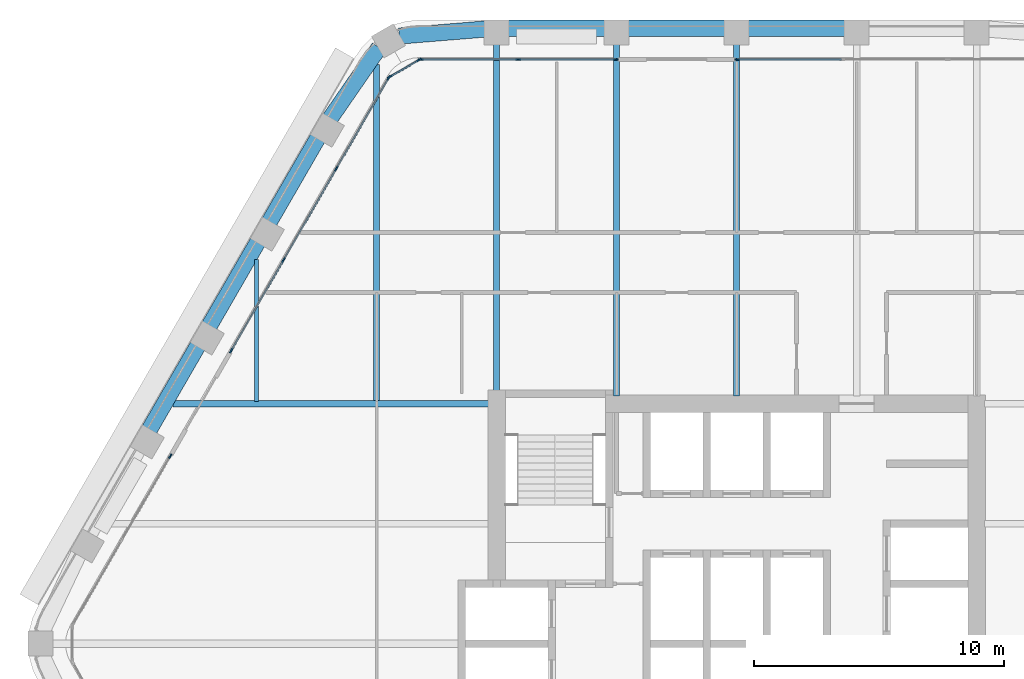
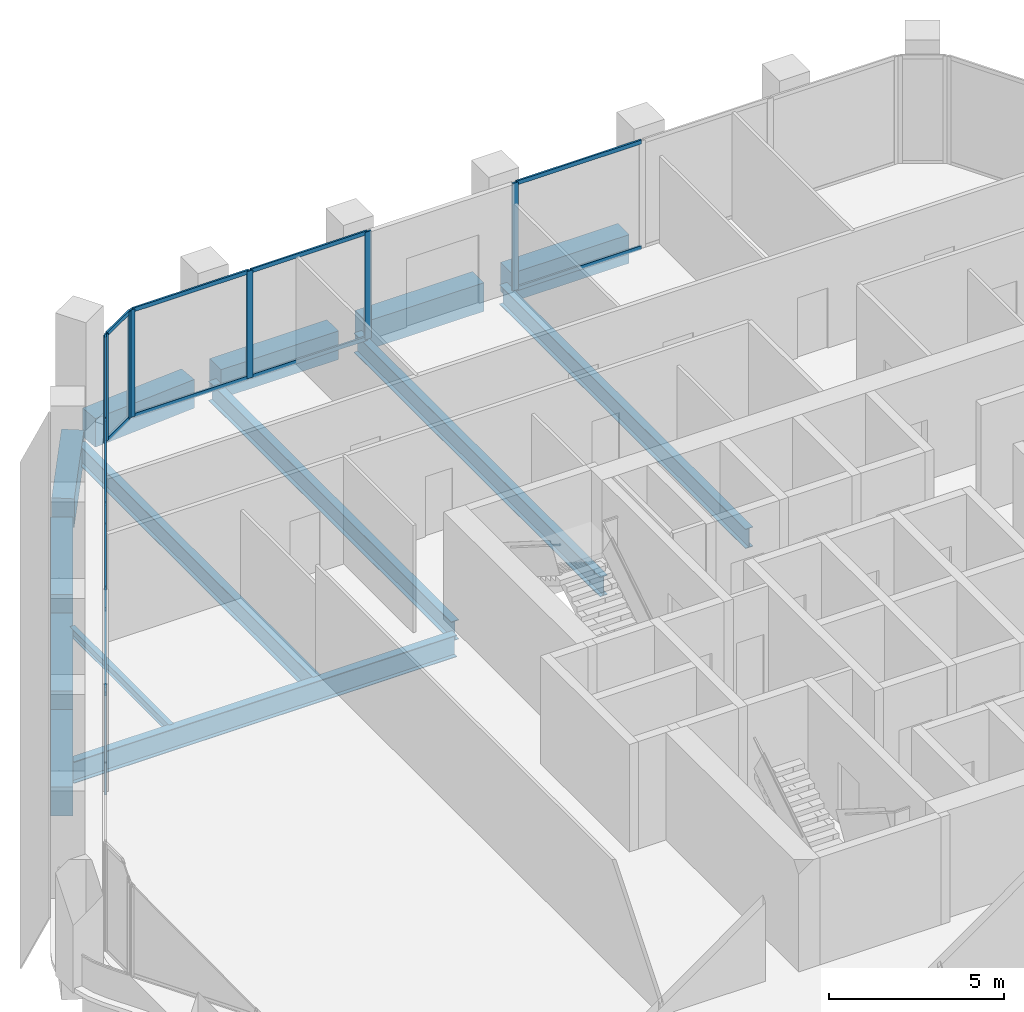
# One storey, part 5 of 15: 25 members, 14 beams, 5 elements without a shape of their own.
"""IFC4 building model written with IfcOpenShell, lengths in metres."""

from ifc_helpers import new_model, si_unit, direction, frame, origin, origin_2d, place, context, subcontext, project, spatial, rectangle, i_section, extrude, material, material_profile, profile_set, type_object, element, aggregate, save


model = new_model("IFC4")

# Units and contexts
model_context = context("Model", 3, precision=1e-05, world=origin(), true_north=direction((0.0, 1.0)))
body_context = subcontext(model_context, "Body", "Model", "MODEL_VIEW")
ifc_project = project(units=[si_unit("LENGTHUNIT", "METRE"), si_unit("AREAUNIT", "SQUARE_METRE"), si_unit("VOLUMEUNIT", "CUBIC_METRE"), si_unit("PLANEANGLEUNIT", "RADIAN"), si_unit("MASSUNIT", "GRAM", prefix="KILO")], contexts=[model_context])

# Site, building, storey
site_placement = place(None, origin())
site = spatial("IfcSite", under=ifc_project, at=site_placement, CompositionType="ELEMENT")
building_placement = place(site_placement, origin())
building = spatial("IfcBuilding", under=site, at=building_placement, Name="Kolab Exchange Tower", CompositionType="ELEMENT")
storey_placement = place(building_placement, frame((0.0, 0.0, 154.39990234375)))
storey = spatial("IfcBuildingStorey", under=building, at=storey_placement, Name="L31", CompositionType="ELEMENT", Elevation=154.39990234375)

# Beams
ifc_material_1 = material(Name="Steel S355", Category="steel")
ifc_material_profile_1 = material_profile(ifc_material_1, i_section(OverallWidth=0.1650390625, OverallDepth=0.31005859375, WebThickness=0.005859375, FlangeThickness=0.009765625, at=origin_2d()), Name="W310X39")
ifc_profile_set_1 = profile_set([ifc_material_profile_1], Name="Steel S355")
beam_type_1 = type_object("IfcBeamType", Name="FLOOR BEAM W310X39", PredefinedType="BEAM", material=ifc_profile_set_1)
beam_1_placement = place(storey_placement, frame((-19.199951171875, 9.693603515625, -0.304931640625), z_axis=(0.0, 1.0, 0.0), x_axis=(-1.0, 0.0, 0.0)))
element("IfcBeam", 1, at=beam_1_placement, inside=storey, type_object=beam_type_1, Name="beam/L31/fr/004", PredefinedType="BEAM", context=body_context, shape_type="SweptSolid", body=[
    extrude(i_section(OverallWidth=0.1650390625, OverallDepth=0.31005859375, WebThickness=0.005859375, FlangeThickness=0.009765625, at=origin_2d()), origin(), (0.0, 0.0, 1.0), 5.674072265625),
])
ifc_material_profile_2 = material_profile(ifc_material_1, i_section(OverallWidth=0.25390625, OverallDepth=0.68408203125, WebThickness=0.012451171875, FlangeThickness=0.018798828125, at=origin_2d()), Name="W690X140")
ifc_profile_set_2 = profile_set([ifc_material_profile_2], Name="Steel S355")
beam_type_2 = type_object("IfcBeamType", Name="FLOOR BEAM W690X140", PredefinedType="BEAM", material=ifc_profile_set_2)
beam_2_placement = place(storey_placement, frame((-14.39990234375, 9.693603515625, -0.491943359375), z_axis=(0.0, 1.0, 0.0), x_axis=(-1.0, 0.0, 0.0)))
element("IfcBeam", 2, at=beam_2_placement, inside=storey, type_object=beam_type_2, Name="beam/L31/fr/006", PredefinedType="BEAM", context=body_context, shape_type="SweptSolid", body=[
    extrude(i_section(OverallWidth=0.25390625, OverallDepth=0.68408203125, WebThickness=0.012451171875, FlangeThickness=0.018798828125, at=origin_2d()), origin(), (0.0, 0.0, 1.0), 13.462158203125),
])
beam_3_placement = place(storey_placement, frame((-9.60009765625, 10.110107421875, -0.491943359375), z_axis=(0.0, 1.0, 0.0), x_axis=(-1.0, 0.0, 0.0)))
element("IfcBeam", 3, at=beam_3_placement, inside=storey, type_object=beam_type_2, Name="beam/L31/fr/008", PredefinedType="BEAM", context=body_context, shape_type="SweptSolid", body=[
    extrude(i_section(OverallWidth=0.25390625, OverallDepth=0.68408203125, WebThickness=0.012451171875, FlangeThickness=0.018798828125, at=origin_2d()), origin(), (0.0, 0.0, 1.0), 13.871337890625),
])
for number, where, z_axis, x_axis, name in (
    (4, (-4.800048828125, 9.909912109375, -0.491943359375), (0.0, 1.0, 0.0), (-1.0, 0.0, 0.0), "beam/L31/fr/010"),
    (5, (0.0, 9.909912109375, -0.491943359375), (0.0, 1.0, 0.0), (-1.0, 0.0, 0.0), "beam/L31/fr/012"),
):
    element("IfcBeam", number, at=place(storey_placement, frame(where, z_axis=z_axis, x_axis=x_axis)), inside=storey, type_object=beam_type_2, Name=name, PredefinedType="BEAM", context=body_context, shape_type="SweptSolid", body=[
        extrude(i_section(OverallWidth=0.25390625, OverallDepth=0.68408203125, WebThickness=0.012451171875, FlangeThickness=0.018798828125, at=origin_2d()), origin(), (0.0, 0.0, 1.0), 14.071533203125),
    ])
ifc_material_profile_3 = material_profile(ifc_material_1, i_section(OverallWidth=0.26708984375, OverallDepth=0.761962890625, WebThickness=0.014404296875, FlangeThickness=0.021484375, at=origin_2d()), Name="W760X173")
ifc_profile_set_3 = profile_set([ifc_material_profile_3], Name="Steel S355")
beam_type_3 = type_object("IfcBeamType", Name="FLOOR GIRDER W760X173", PredefinedType="BEAM", material=ifc_profile_set_3)
beam_4_placement = place(storey_placement, frame((-22.546875, 9.60009765625, -0.531005859375), z_axis=(1.0, 0.0, 0.0), x_axis=(0.0, 1.0, 0.0)))
element("IfcBeam", 6, at=beam_4_placement, inside=storey, type_object=beam_type_3, Name="beam/L31/gd/001", PredefinedType="BEAM", context=body_context, shape_type="SweptSolid", body=[
    extrude(i_section(OverallWidth=0.26708984375, OverallDepth=0.761962890625, WebThickness=0.014404296875, FlangeThickness=0.021484375, at=origin_2d()), origin(), (0.0, 0.0, 1.0), 12.636962890625),
])
ifc_material_2 = material(Name="Concrete C60/75", Category="concrete")
ifc_material_profile_4 = material_profile(ifc_material_2, rectangle(XDim=0.64990234375, YDim=1.0, at=origin_2d()), Name="RC650X1000")
ifc_profile_set_4 = profile_set([ifc_material_profile_4], Name="Concrete C60/75")
beam_type_4 = type_object("IfcBeamType", Name="SPANDREL BEAM 650X1000 C60/75", PredefinedType="BEAM", material=ifc_profile_set_4)
beam_5_placement = place(storey_placement, frame((-13.493896484375, 24.2998046875, -0.64990234375), z_axis=(0.996708497182, 0.081068931445, 0.0), x_axis=(-0.081068931445, 0.996708497182, 0.0)))
element("IfcBeam", 7, at=beam_5_placement, inside=storey, type_object=beam_type_4, Name="beam/L31/sp/F1-01", PredefinedType="BEAM", context=body_context, shape_type="SweptSolid", body=[
    extrude(rectangle(XDim=0.64990234375, YDim=1.0, at=origin_2d()), origin(), (0.0, 0.0, 1.0), 3.445068359375),
])
beam_6_placement = place(storey_placement, frame((-9.139892578125, 24.616455078125, -0.64990234375), z_axis=(1.0, 0.0, 0.0), x_axis=(0.0, 1.0, 0.0)))
element("IfcBeam", 8, at=beam_6_placement, inside=storey, type_object=beam_type_4, Name="beam/L31/sp/F1-02", PredefinedType="BEAM", context=body_context, shape_type="SweptSolid", body=[
    extrude(rectangle(XDim=0.64990234375, YDim=1.0, at=origin_2d()), origin(), (0.0, 0.0, 1.0), 3.8798828125),
])
for number, where, z_axis, x_axis, name in (
    (9, (-4.340087890625, 24.616455078125, -0.64990234375), (1.0, 0.0, 0.0), (0.0, 1.0, 0.0), "beam/L31/sp/F1-03"),
    (10, (0.4599609375, 24.616455078125, -0.64990234375), (1.0, 0.0, 0.0), (0.0, 1.0, 0.0), "beam/L31/sp/F1-04"),
):
    element("IfcBeam", number, at=place(storey_placement, frame(where, z_axis=z_axis, x_axis=x_axis)), inside=storey, type_object=beam_type_4, Name=name, PredefinedType="BEAM", context=body_context, shape_type="SweptSolid", body=[
        extrude(rectangle(XDim=0.64990234375, YDim=1.0, at=origin_2d()), origin(), (0.0, 0.0, 1.0), 3.880126953125),
    ])
beam_7_placement = place(storey_placement, frame((-23.488525390625, 8.5498046875, -0.64990234375), z_axis=(0.499996613652, 0.866027358884, 0.0), x_axis=(-0.866027358884, 0.499996613652, 0.0)))
element("IfcBeam", 11, at=beam_7_placement, inside=storey, type_object=beam_type_4, Name="beam/L31/sp/F6-03", PredefinedType="BEAM", context=body_context, shape_type="SweptSolid", body=[
    extrude(rectangle(XDim=0.64990234375, YDim=1.0, at=origin_2d()), origin(), (0.0, 0.0, 1.0), 3.8798828125),
])
beam_8_placement = place(storey_placement, frame((-21.088623046875, 12.70654296875, -0.64990234375), z_axis=(0.50001655835, 0.866015843605, 0.0), x_axis=(-0.866015843605, 0.50001655835, 0.0)))
element("IfcBeam", 12, at=beam_8_placement, inside=storey, type_object=beam_type_4, Name="beam/L31/sp/F6-04", PredefinedType="BEAM", context=body_context, shape_type="SweptSolid", body=[
    extrude(rectangle(XDim=0.64990234375, YDim=1.0, at=origin_2d()), origin(), (0.0, 0.0, 1.0), 3.880126953125),
])
beam_9_placement = place(storey_placement, frame((-18.6884765625, 16.863525390625, -0.64990234375), z_axis=(0.499996613652, 0.866027358884, 0.0), x_axis=(-0.866027358884, 0.499996613652, 0.0)))
element("IfcBeam", 13, at=beam_9_placement, inside=storey, type_object=beam_type_4, Name="beam/L31/sp/F6-05", PredefinedType="BEAM", context=body_context, shape_type="SweptSolid", body=[
    extrude(rectangle(XDim=0.64990234375, YDim=1.0, at=origin_2d()), origin(), (0.0, 0.0, 1.0), 3.8798828125),
])
beam_10_placement = place(storey_placement, frame((-16.256103515625, 21.001953125, -0.64990234375), z_axis=(0.568572281073, 0.822633309073, 0.0), x_axis=(-0.822633309073, 0.568572281073, 0.0)))
element("IfcBeam", 14, at=beam_10_placement, inside=storey, type_object=beam_type_4, Name="beam/L31/sp/F6-06", PredefinedType="BEAM", context=body_context, shape_type="SweptSolid", body=[
    extrude(rectangle(XDim=0.64990234375, YDim=1.0, at=origin_2d()), origin(), (0.0, 0.0, 1.0), 3.445068359375),
])

# Curtain wall, members
ifc_material_3 = material(Name="Aluminium EN AW-6063 T6", Category="aluminium")
curtain_wall_type = type_object("IfcCurtainWallType", Name="UNITISED UPPER MID ZONE CURTAIN WALL", PredefinedType="NOTDEFINED", material=ifc_material_3)
curtain_wall_1_placement = place(storey_placement, origin())
curtain_wall_1 = element("IfcCurtainWall", 15, at=curtain_wall_1_placement, inside=storey, type_object=curtain_wall_type, Name="cw/L31/F1-1", PredefinedType="NOTDEFINED")
ifc_material_profile_5 = material_profile(ifc_material_3, rectangle(XDim=0.06005859375, YDim=0.199951171875, at=origin_2d()), Name="RECT 60X200")
ifc_profile_set_5 = profile_set([ifc_material_profile_5], Name="Aluminium EN AW-6063 T6")
member_type_1 = type_object("IfcMemberType", Name="UNITISED UPPER MID ZONE MULLION 60 X 200", PredefinedType="MULLION", material=ifc_profile_set_5)
member_1_placement = place(storey_placement, frame((-12.637939453125, 23.361572265625, 0.0), z_axis=(0.0, 0.0, 1.0), x_axis=(0.0, 1.0, 0.0)))
member_1 = element("IfcMember", 16, at=member_1_placement, type_object=member_type_1, Name="CW3 mullion 1", PredefinedType="MULLION", context=body_context, shape_type="SweptSolid", body=[
    extrude(rectangle(XDim=0.06005859375, YDim=0.199951171875, at=origin_2d()), origin(), (0.0, 0.0, 1.0), 3.75),
])
member_2_placement = place(storey_placement, frame((-8.73388671875, 23.361572265625, 0.0), z_axis=(0.0, 0.0, 1.0), x_axis=(0.0, 1.0, 0.0)))
member_2 = element("IfcMember", 17, at=member_2_placement, type_object=member_type_1, Name="CW3 mullion 2", PredefinedType="MULLION", context=body_context, shape_type="SweptSolid", body=[
    extrude(rectangle(XDim=0.06005859375, YDim=0.199951171875, at=origin_2d()), origin(), (0.0, 0.0, 1.0), 3.75),
])
member_3_placement = place(storey_placement, frame((-4.830078125, 23.361572265625, 0.0), z_axis=(0.0, 0.0, 1.0), x_axis=(0.0, 1.0, 0.0)))
member_3 = element("IfcMember", 18, at=member_3_placement, type_object=member_type_1, Name="CW3 mullion 3", PredefinedType="MULLION", context=body_context, shape_type="SweptSolid", body=[
    extrude(rectangle(XDim=0.06005859375, YDim=0.199951171875, at=origin_2d()), origin(), (0.0, 0.0, 1.0), 3.75),
])

# Curtain wall, member
curtain_wall_2_placement = place(storey_placement, origin())
curtain_wall_2 = element("IfcCurtainWall", 19, at=curtain_wall_2_placement, inside=storey, type_object=curtain_wall_type, Name="cw/L31/F1-2", PredefinedType="NOTDEFINED")
member_4_placement = place(storey_placement, frame((0.030029296875, 23.361572265625, 0.0), z_axis=(0.0, 0.0, 1.0), x_axis=(0.0, 1.0, 0.0)))
member_4 = element("IfcMember", 20, at=member_4_placement, type_object=member_type_1, Name="CW3 mullion 1", PredefinedType="MULLION", context=body_context, shape_type="SweptSolid", body=[
    extrude(rectangle(XDim=0.06005859375, YDim=0.199951171875, at=origin_2d()), origin(), (0.0, 0.0, 1.0), 3.75),
])

curtain_wall_3_placement = place(storey_placement, origin())
curtain_wall_3 = element("IfcCurtainWall", 21, at=curtain_wall_3_placement, inside=storey, type_object=curtain_wall_type, Name="cw/L31/F6-1", PredefinedType="NOTDEFINED")
member_5_placement = place(storey_placement, frame((-22.646728515625, 7.497802734375, 0.0), z_axis=(0.0, 0.0, 1.0), x_axis=(-0.866025440524, 0.499999936366, 0.0)))
member_5 = element("IfcMember", 22, at=member_5_placement, type_object=member_type_1, Name="CW3 mullion 3", PredefinedType="MULLION", context=body_context, shape_type="SweptSolid", body=[
    extrude(rectangle(XDim=0.06005859375, YDim=0.199951171875, at=origin_2d()), origin(), (0.0, 0.0, 1.0), 3.75),
])
aggregate(curtain_wall_3, [member_5])

# Curtain wall, members
curtain_wall_4_placement = place(storey_placement, origin())
curtain_wall_4 = element("IfcCurtainWall", 23, at=curtain_wall_4_placement, inside=storey, type_object=curtain_wall_type, Name="cw/L31/F6-2", PredefinedType="NOTDEFINED")
member_6_placement = place(storey_placement, frame((-20.216796875, 11.706787109375, 0.0), z_axis=(0.0, 0.0, 1.0), x_axis=(-0.866025393644, 0.500000017564, 0.0)))
member_6 = element("IfcMember", 24, at=member_6_placement, type_object=member_type_1, Name="CW3 mullion 1", PredefinedType="MULLION", context=body_context, shape_type="SweptSolid", body=[
    extrude(rectangle(XDim=0.06005859375, YDim=0.199951171875, at=origin_2d()), origin(), (0.0, 0.0, 1.0), 3.75),
])
member_7_placement = place(storey_placement, frame((-18.120361328125, 15.337646484375, 0.0), z_axis=(0.0, 0.0, 1.0), x_axis=(-0.866025393644, 0.500000017564, 0.0)))
member_7 = element("IfcMember", 25, at=member_7_placement, type_object=member_type_1, Name="CW3 mullion 2", PredefinedType="MULLION", context=body_context, shape_type="SweptSolid", body=[
    extrude(rectangle(XDim=0.06005859375, YDim=0.199951171875, at=origin_2d()), origin(), (0.0, 0.0, 1.0), 3.75),
])
member_8_placement = place(storey_placement, frame((-16.009033203125, 18.99462890625, 0.0), z_axis=(0.0, 0.0, 1.0), x_axis=(-0.866025393644, 0.500000017564, 0.0)))
member_8 = element("IfcMember", 26, at=member_8_placement, type_object=member_type_1, Name="CW3 mullion 3", PredefinedType="MULLION", context=body_context, shape_type="SweptSolid", body=[
    extrude(rectangle(XDim=0.06005859375, YDim=0.199951171875, at=origin_2d()), origin(), (0.0, 0.0, 1.0), 3.75),
])
member_9_placement = place(storey_placement, frame((-13.91259765625, 22.62548828125, 0.0), z_axis=(0.0, 0.0, 1.0), x_axis=(-0.866025393644, 0.500000017564, 0.0)))
member_9 = element("IfcMember", 27, at=member_9_placement, type_object=member_type_1, Name="CW3 mullion 4", PredefinedType="MULLION", context=body_context, shape_type="SweptSolid", body=[
    extrude(rectangle(XDim=0.06005859375, YDim=0.199951171875, at=origin_2d()), origin(), (0.0, 0.0, 1.0), 3.75),
])

curtain_wall_5_placement = place(storey_placement, origin())
curtain_wall_5 = element("IfcCurtainWall", 28, at=curtain_wall_5_placement, inside=storey, type_object=curtain_wall_type, Name="cw/L31/F6F1-corner", PredefinedType="NOTDEFINED")
member_10_placement = place(storey_placement, frame((-13.871826171875, 22.66650390625, 0.0), z_axis=(0.0, 0.0, 1.0), x_axis=(-0.50000002237, 0.866025390869, 0.0)))
member_10 = element("IfcMember", 29, at=member_10_placement, type_object=member_type_1, Name="CW3 mullion 1", PredefinedType="MULLION", context=body_context, shape_type="SweptSolid", body=[
    extrude(rectangle(XDim=0.06005859375, YDim=0.199951171875, at=origin_2d()), origin(), (0.0, 0.0, 1.0), 3.75),
])
member_11_placement = place(storey_placement, frame((-12.69384765625, 23.346435546875, 0.0), z_axis=(0.0, 0.0, 1.0), x_axis=(-0.50000002237, 0.866025390869, 0.0)))
member_11 = element("IfcMember", 30, at=member_11_placement, type_object=member_type_1, Name="CW3 mullion 2", PredefinedType="MULLION", context=body_context, shape_type="SweptSolid", body=[
    extrude(rectangle(XDim=0.06005859375, YDim=0.199951171875, at=origin_2d()), origin(), (0.0, 0.0, 1.0), 3.75),
])

# Member
ifc_material_profile_6 = material_profile(ifc_material_3, rectangle(XDim=0.06005859375, YDim=0.139892578125, at=origin_2d()), Name="RECT 60X140")
ifc_profile_set_6 = profile_set([ifc_material_profile_6], Name="Aluminium EN AW-6063 T6")
member_type_2 = type_object("IfcMemberType", Name="UNITISED UPPER MID ZONE TRANSOM 60 X 140", PredefinedType="USERDEFINED", material=ifc_profile_set_6)
member_12_placement = place(storey_placement, frame((-12.60791015625, 23.361572265625, 0.030029296875), z_axis=(1.0, 0.0, 0.0), x_axis=(0.0, 1.0, 0.0)))
member_12 = element("IfcMember", 31, at=member_12_placement, type_object=member_type_2, Name="CW3 transom 1.1", ObjectType="TRANSOM", PredefinedType="USERDEFINED", context=body_context, shape_type="SweptSolid", body=[
    extrude(rectangle(XDim=0.06005859375, YDim=0.139892578125, at=origin_2d()), origin(), (0.0, 0.0, 1.0), 3.843994140625),
])

member_13_placement = place(storey_placement, frame((-12.60791015625, 23.361572265625, 3.72021484375), z_axis=(1.0, 0.0, 0.0), x_axis=(0.0, 1.0, 0.0)))
member_13 = element("IfcMember", 32, at=member_13_placement, type_object=member_type_2, Name="CW3 transom 1.2", ObjectType="TRANSOM", PredefinedType="USERDEFINED", context=body_context, shape_type="SweptSolid", body=[
    extrude(rectangle(XDim=0.06005859375, YDim=0.139892578125, at=origin_2d()), origin(), (0.0, 0.0, 1.0), 3.843994140625),
])

member_14_placement = place(storey_placement, frame((-8.703857421875, 23.361572265625, 0.030029296875), z_axis=(1.0, 0.0, 0.0), x_axis=(0.0, 1.0, 0.0)))
member_14 = element("IfcMember", 33, at=member_14_placement, type_object=member_type_2, Name="CW3 transom 2.1", ObjectType="TRANSOM", PredefinedType="USERDEFINED", context=body_context, shape_type="SweptSolid", body=[
    extrude(rectangle(XDim=0.06005859375, YDim=0.139892578125, at=origin_2d()), origin(), (0.0, 0.0, 1.0), 3.84375),
])

member_15_placement = place(storey_placement, frame((-8.703857421875, 23.361572265625, 3.72021484375), z_axis=(1.0, 0.0, 0.0), x_axis=(0.0, 1.0, 0.0)))
member_15 = element("IfcMember", 34, at=member_15_placement, type_object=member_type_2, Name="CW3 transom 2.2", ObjectType="TRANSOM", PredefinedType="USERDEFINED", context=body_context, shape_type="SweptSolid", body=[
    extrude(rectangle(XDim=0.06005859375, YDim=0.139892578125, at=origin_2d()), origin(), (0.0, 0.0, 1.0), 3.84375),
])

aggregate(curtain_wall_1, [member_1, member_2, member_3, member_12, member_13, member_14, member_15])

member_16_placement = place(storey_placement, frame((0.06005859375, 23.361572265625, 0.030029296875), z_axis=(1.0, 0.0, 0.0), x_axis=(0.0, 1.0, 0.0)))
member_16 = element("IfcMember", 35, at=member_16_placement, type_object=member_type_2, Name="CW3 transom 1.1", ObjectType="TRANSOM", PredefinedType="USERDEFINED", context=body_context, shape_type="SweptSolid", body=[
    extrude(rectangle(XDim=0.06005859375, YDim=0.139892578125, at=origin_2d()), origin(), (0.0, 0.0, 1.0), 4.132568359375),
])

member_17_placement = place(storey_placement, frame((0.06005859375, 23.361572265625, 3.72021484375), z_axis=(1.0, 0.0, 0.0), x_axis=(0.0, 1.0, 0.0)))
member_17 = element("IfcMember", 36, at=member_17_placement, type_object=member_type_2, Name="CW3 transom 1.2", ObjectType="TRANSOM", PredefinedType="USERDEFINED", context=body_context, shape_type="SweptSolid", body=[
    extrude(rectangle(XDim=0.06005859375, YDim=0.139892578125, at=origin_2d()), origin(), (0.0, 0.0, 1.0), 4.132568359375),
])

aggregate(curtain_wall_2, [member_4, member_16, member_17])

member_18_placement = place(storey_placement, frame((-20.20166015625, 11.732666015625, 0.030029296875), z_axis=(0.500001996123, 0.866024251319, 0.0), x_axis=(-0.866024251319, 0.500001996123, 0.0)))
member_18 = element("IfcMember", 37, at=member_18_placement, type_object=member_type_2, Name="CW3 transom 1.1", ObjectType="TRANSOM", PredefinedType="USERDEFINED", context=body_context, shape_type="SweptSolid", body=[
    extrude(rectangle(XDim=0.06005859375, YDim=0.139892578125, at=origin_2d()), origin(), (0.0, 0.0, 1.0), 4.1328125),
])

member_19_placement = place(storey_placement, frame((-20.20166015625, 11.732666015625, 3.72021484375), z_axis=(0.500001996123, 0.866024251319, 0.0), x_axis=(-0.866024251319, 0.500001996123, 0.0)))
member_19 = element("IfcMember", 38, at=member_19_placement, type_object=member_type_2, Name="CW3 transom 1.2", ObjectType="TRANSOM", PredefinedType="USERDEFINED", context=body_context, shape_type="SweptSolid", body=[
    extrude(rectangle(XDim=0.06005859375, YDim=0.139892578125, at=origin_2d()), origin(), (0.0, 0.0, 1.0), 4.1328125),
])

member_20_placement = place(storey_placement, frame((-18.10546875, 15.36376953125, 0.030029296875), z_axis=(0.500037208726, 0.86600392025, 0.0), x_axis=(-0.86600392025, 0.500037208726, 0.0)))
member_20 = element("IfcMember", 39, at=member_20_placement, type_object=member_type_2, Name="CW3 transom 2.1", ObjectType="TRANSOM", PredefinedType="USERDEFINED", context=body_context, shape_type="SweptSolid", body=[
    extrude(rectangle(XDim=0.06005859375, YDim=0.139892578125, at=origin_2d()), origin(), (0.0, 0.0, 1.0), 4.162841796875),
])

member_21_placement = place(storey_placement, frame((-18.10546875, 15.36376953125, 3.72021484375), z_axis=(0.500037208726, 0.86600392025, 0.0), x_axis=(-0.86600392025, 0.500037208726, 0.0)))
member_21 = element("IfcMember", 40, at=member_21_placement, type_object=member_type_2, Name="CW3 transom 2.2", ObjectType="TRANSOM", PredefinedType="USERDEFINED", context=body_context, shape_type="SweptSolid", body=[
    extrude(rectangle(XDim=0.06005859375, YDim=0.139892578125, at=origin_2d()), origin(), (0.0, 0.0, 1.0), 4.162841796875),
])

member_22_placement = place(storey_placement, frame((-15.994140625, 19.0205078125, 0.030029296875), z_axis=(0.500001996123, 0.866024251319, 0.0), x_axis=(-0.866024251319, 0.500001996123, 0.0)))
member_22 = element("IfcMember", 41, at=member_22_placement, type_object=member_type_2, Name="CW3 transom 3.1", ObjectType="TRANSOM", PredefinedType="USERDEFINED", context=body_context, shape_type="SweptSolid", body=[
    extrude(rectangle(XDim=0.06005859375, YDim=0.139892578125, at=origin_2d()), origin(), (0.0, 0.0, 1.0), 4.1328125),
])

member_23_placement = place(storey_placement, frame((-15.994140625, 19.0205078125, 3.72021484375), z_axis=(0.500001996123, 0.866024251319, 0.0), x_axis=(-0.866024251319, 0.500001996123, 0.0)))
member_23 = element("IfcMember", 42, at=member_23_placement, type_object=member_type_2, Name="CW3 transom 3.2", ObjectType="TRANSOM", PredefinedType="USERDEFINED", context=body_context, shape_type="SweptSolid", body=[
    extrude(rectangle(XDim=0.06005859375, YDim=0.139892578125, at=origin_2d()), origin(), (0.0, 0.0, 1.0), 4.1328125),
])

aggregate(curtain_wall_4, [member_6, member_7, member_8, member_9, member_18, member_19, member_20, member_21, member_22, member_23])

member_24_placement = place(storey_placement, frame((-13.845703125, 22.681640625, 0.030029296875), z_axis=(0.86603858612, 0.49997716683, 0.0), x_axis=(-0.49997716683, 0.86603858612, 0.0)))
member_24 = element("IfcMember", 43, at=member_24_placement, type_object=member_type_2, Name="CW3 transom 1.1", ObjectType="TRANSOM", PredefinedType="USERDEFINED", context=body_context, shape_type="SweptSolid", body=[
    extrude(rectangle(XDim=0.06005859375, YDim=0.139892578125, at=origin_2d()), origin(), (0.0, 0.0, 1.0), 1.2998046875),
])

member_25_placement = place(storey_placement, frame((-13.845703125, 22.681640625, 3.72021484375), z_axis=(0.86603858612, 0.49997716683, 0.0), x_axis=(-0.49997716683, 0.86603858612, 0.0)))
member_25 = element("IfcMember", 44, at=member_25_placement, type_object=member_type_2, Name="CW3 transom 1.2", ObjectType="TRANSOM", PredefinedType="USERDEFINED", context=body_context, shape_type="SweptSolid", body=[
    extrude(rectangle(XDim=0.06005859375, YDim=0.139892578125, at=origin_2d()), origin(), (0.0, 0.0, 1.0), 1.2998046875),
])

aggregate(curtain_wall_5, [member_10, member_11, member_24, member_25])

save(model, "model.ifc")
